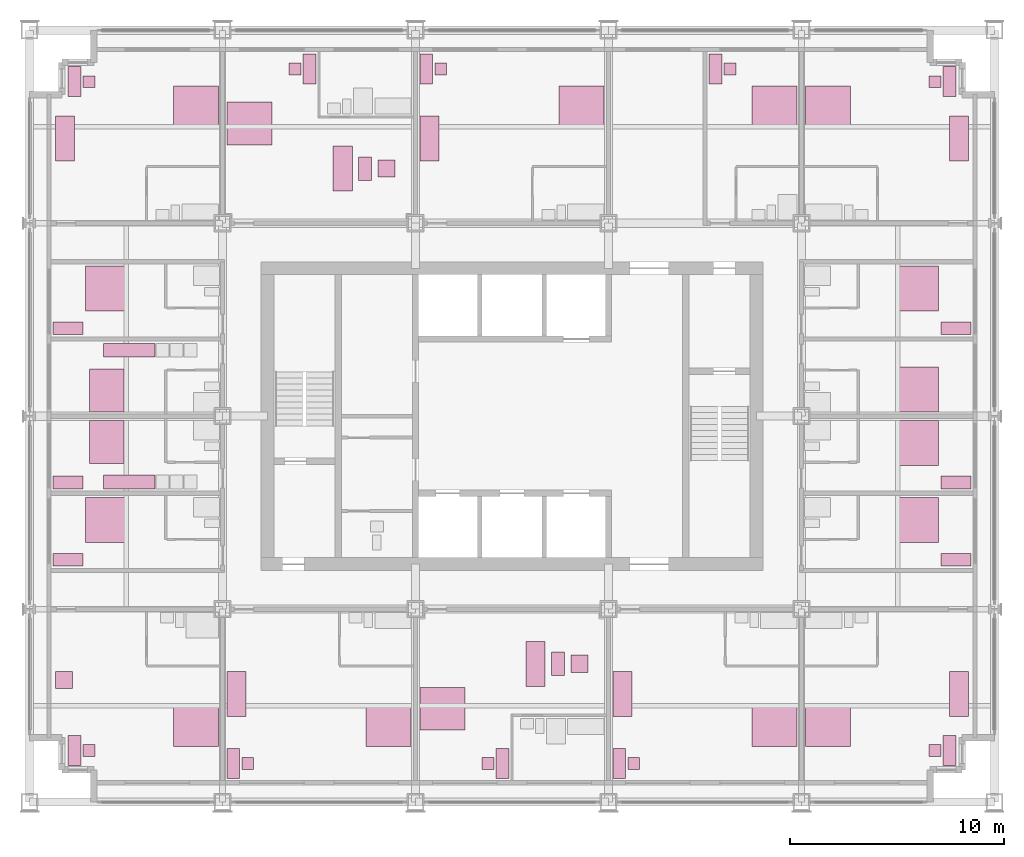
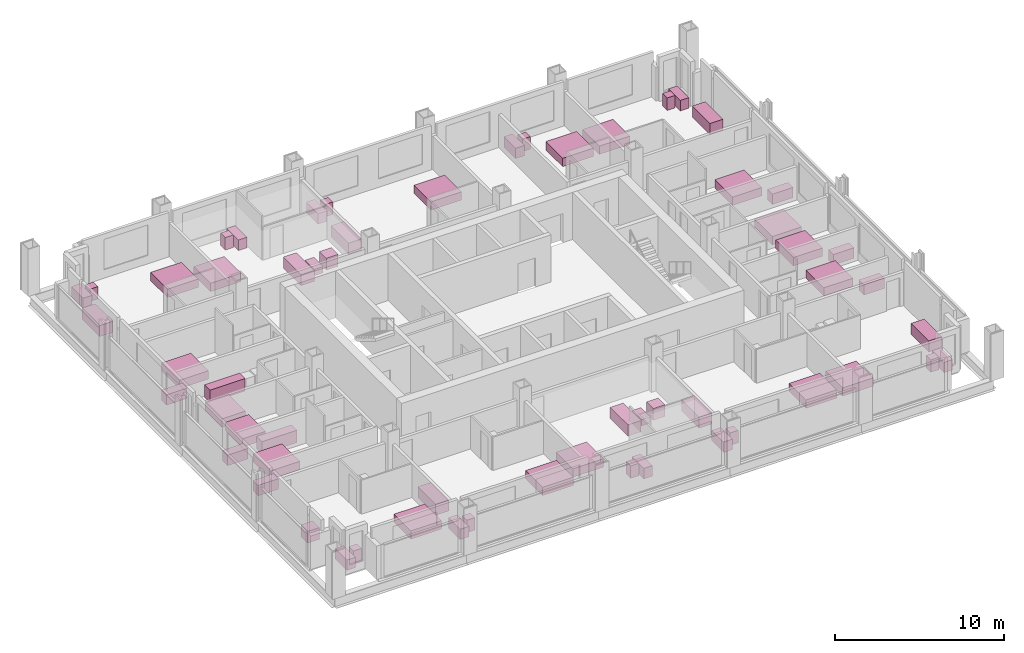
# One storey, part 16 of 16: 59 furniture elements.
"""IFC4 building model written with IfcOpenShell, lengths in metres."""

import ifcopenshell
import ifcopenshell.guid

model = None  # the IFC model being written
_history = None  # IfcOwnerHistory: only IFC2X3 demands one
_inside = {}  # id of a spatial element -> (the spatial element, [elements in it])
_under = {}  # id of a project, library or spatial element -> (it, [spatial elements below it])
_declared = {}  # id of a project -> (the project, [libraries it declares])
_typed = {}  # id of a type object -> (the type object, [elements of that type])
_made_of = {}  # id of a material, layer set ... -> (it, [elements and type objects made of it])


def new_model(schema):
    """Start an empty IFC model of exactly this schema.

    Asked for "IFC4X3", IfcOpenShell would pick the latest addendum, in which some entities
    have other attributes; the version numbers below select the first issue.
    IFC2X3 requires an IfcOwnerHistory on every rooted entity: one is made here for all.
    """
    global model, _history
    if schema == "IFC4X3":
        model = ifcopenshell.file(schema_version=(4, 3, 0, 0))
    else:
        model = ifcopenshell.file(schema=schema)
    _inside.clear()
    _under.clear()
    _declared.clear()
    _typed.clear()
    _made_of.clear()
    _history = None
    if model.schema == "IFC2X3":
        org = make("IfcOrganization", Name="unknown")
        user = make(
            "IfcPersonAndOrganization",
            ThePerson=make("IfcPerson", FamilyName="unknown"),
            TheOrganization=org,
        )
        app = make(
            "IfcApplication",
            ApplicationDeveloper=org,
            Version="unknown",
            ApplicationFullName="unknown",
            ApplicationIdentifier="unknown",
        )
        _history = make(
            "IfcOwnerHistory",
            OwningUser=user,
            OwningApplication=app,
            ChangeAction="ADDED",
            CreationDate=0,
        )
    return model


def make(cls, **values):
    """One entity of the class cls with the attributes given. An attribute that is None is left unset."""
    return model.create_entity(
        cls, **{name: value for name, value in values.items() if value is not None}
    )


def rooted(cls, **values):
    """An entity with a GlobalId (a new one), such as an element, a storey or a relation."""
    return make(cls, GlobalId=ifcopenshell.guid.new(), OwnerHistory=_history, **values)


def si_unit(unit_type, name, prefix=None):
    """IfcSIUnit, for example si_unit("LENGTHUNIT", "METRE", prefix="MILLI")."""
    return make("IfcSIUnit", UnitType=unit_type, Prefix=prefix, Name=name)


def assignment(units):
    """IfcUnitAssignment: the units of a project."""
    return None if units is None else make("IfcUnitAssignment", Units=units)


def point(xyz):
    """IfcCartesianPoint."""
    return None if xyz is None else make("IfcCartesianPoint", Coordinates=xyz)


def direction(xyz):
    """IfcDirection."""
    return None if xyz is None else make("IfcDirection", DirectionRatios=xyz)


def frame(location, z_axis=None, x_axis=None):
    """IfcAxis2Placement3D, a coordinate frame: its origin and axes. An axis left out is left unset."""
    return make(
        "IfcAxis2Placement3D",
        Location=point(location),
        Axis=direction(z_axis),
        RefDirection=direction(x_axis),
    )


def frame_2d(location, x_axis=None):
    """IfcAxis2Placement2D, a coordinate frame in the plane: its origin and x axis."""
    return make(
        "IfcAxis2Placement2D", Location=point(location), RefDirection=direction(x_axis)
    )


def origin():
    """The frame at (0, 0, 0) with its axes left unset."""
    return frame((0.0, 0.0, 0.0))


def origin_2d():
    """The frame at (0, 0) in the plane with its x axis left unset."""
    return frame_2d((0.0, 0.0))


def place(relative_to, where):
    """IfcLocalPlacement: puts the frame where relative to a parent placement (None: the world)."""
    return make(
        "IfcLocalPlacement", PlacementRelTo=relative_to, RelativePlacement=where
    )


def context(
    kind, dimensions, precision=None, world=None, true_north=None, identifier=None
):
    """IfcGeometricRepresentationContext, for example the 3D "Model" context."""
    return make(
        "IfcGeometricRepresentationContext",
        ContextIdentifier=identifier,
        ContextType=kind,
        CoordinateSpaceDimension=dimensions,
        Precision=precision,
        WorldCoordinateSystem=world,
        TrueNorth=true_north,
    )


def subcontext(parent, identifier, kind, view, scale=None):
    """IfcGeometricRepresentationSubContext, for example "Body" below "Model"."""
    return make(
        "IfcGeometricRepresentationSubContext",
        ContextIdentifier=identifier,
        ContextType=kind,
        ParentContext=parent,
        TargetScale=scale,
        TargetView=view,
    )


def project(units=None, contexts=None):
    """IfcProject with its units and contexts."""
    return rooted(
        "IfcProject",
        Name="project",
        RepresentationContexts=contexts,
        UnitsInContext=assignment(units),
    )


def spatial(cls, under=None, at=None, **own):
    """A site, building, storey or space (cls), placed at a placement, below another one or the project."""
    s = rooted(cls, ObjectPlacement=at, **own)
    if under is not None:
        _under.setdefault(under.id(), (under, []))[1].append(s)
    return s


def profile(cls, at=None, kind="AREA", **sizes):
    """A parametric profile (cls). Its sizes go by their IFC names, for example OverallWidth=200.0."""
    return make(cls, ProfileType=kind, Position=at, **sizes)


def rectangle(**sizes):
    """IfcRectangleProfileDef."""
    return profile("IfcRectangleProfileDef", **sizes)


def extrude(swept, where, along, depth):
    """IfcExtrudedAreaSolid: the profile swept, set in the frame where, extruded along a direction by depth."""
    return make(
        "IfcExtrudedAreaSolid",
        SweptArea=swept,
        Position=where,
        ExtrudedDirection=direction(along),
        Depth=depth,
    )


def shape(context_of_items, identifier, shape_type, items):
    """IfcShapeRepresentation: the items that make up one representation, for example the "Body"."""
    return make(
        "IfcShapeRepresentation",
        ContextOfItems=context_of_items,
        RepresentationIdentifier=identifier,
        RepresentationType=shape_type,
        Items=items,
    )


def made_of(thing, what):
    """Note that an element or type object is made of a material, layer set ...; save() writes the relation."""
    if what is not None:
        _made_of.setdefault(what.id(), (what, []))[1].append(thing)
    return thing


def element(
    cls,
    number,
    at=None,
    inside=None,
    cuts=None,
    type_object=None,
    material=None,
    context=None,
    identifier="Body",
    shape_type=None,
    held_by="IfcProductDefinitionShape",
    body=None,
    shapes=None,
    **own,
):
    """One element of the class cls, such as IfcWall. Its Tag is "e" and its number.

    at: its placement. inside: the storey or other place that contains it. cuts: it is an
    opening in that element (IfcRelVoidsElement). A single representation is given by context,
    identifier, shape_type and body (its items); several are given by shapes. held_by: the class
    of the entity that holds the representations. save() writes the other relations.
    """
    e = rooted(cls, Tag="e%d" % number, ObjectPlacement=at, **own)
    if body is not None:
        shapes = [shape(context, identifier, shape_type, body)]
    if shapes is not None:
        e.Representation = make(held_by, Representations=shapes)
    if inside is not None:
        _inside.setdefault(inside.id(), (inside, []))[1].append(e)
    if cuts is not None:
        rooted(
            "IfcRelVoidsElement", RelatingBuildingElement=cuts, RelatedOpeningElement=e
        )
    if type_object is not None:
        _typed.setdefault(type_object.id(), (type_object, []))[1].append(e)
    return made_of(e, material)


def aggregate(whole, parts):
    """IfcRelAggregates: a whole, such as a stair, and the parts it consists of."""
    return rooted("IfcRelAggregates", RelatingObject=whole, RelatedObjects=parts)


def save(model, path):
    """Write the relations noted so far, then the file.

    IfcRelAggregates (storeys below a building ...), IfcRelContainedInSpatialStructure (elements
    in a storey), IfcRelDefinesByType, IfcRelAssociatesMaterial and IfcRelDeclares: one each for
    every whole, place, type object, material and project.
    """
    for whole, parts in _under.values():
        aggregate(whole, parts)
    for where, things in _inside.values():
        rooted(
            "IfcRelContainedInSpatialStructure",
            RelatedElements=things,
            RelatingStructure=where,
        )
    for kind, things in _typed.values():
        rooted("IfcRelDefinesByType", RelatedObjects=things, RelatingType=kind)
    for what, things in _made_of.values():
        rooted("IfcRelAssociatesMaterial", RelatedObjects=things, RelatingMaterial=what)
    for by, libraries in _declared.values():
        rooted("IfcRelDeclares", RelatingContext=by, RelatedDefinitions=libraries)
    model.write(path)


model = new_model("IFC4")

# Units and contexts
model_context = context("Model", 3, precision=1e-05, world=origin(), true_north=direction((0.0, 1.0)))
body_context = subcontext(model_context, "Body", "Model", "MODEL_VIEW")
ifc_project = project(units=[si_unit("LENGTHUNIT", "METRE"), si_unit("AREAUNIT", "SQUARE_METRE"), si_unit("VOLUMEUNIT", "CUBIC_METRE"), si_unit("PLANEANGLEUNIT", "RADIAN"), si_unit("MASSUNIT", "GRAM", prefix="KILO")], contexts=[model_context])

# Site, building, storey
site_placement = place(None, origin())
site = spatial("IfcSite", under=ifc_project, at=site_placement, CompositionType="ELEMENT")
building_placement = place(site_placement, origin())
building = spatial("IfcBuilding", under=site, at=building_placement, Name="Loomwork Tower", CompositionType="ELEMENT")
storey_placement = place(building_placement, frame((0.0, 0.0, 111.199951171875)))
storey = spatial("IfcBuildingStorey", under=building, at=storey_placement, Name="L29", CompositionType="ELEMENT", Elevation=111.199951171875)

# Furniture
furniture_1_placement = place(storey_placement, frame((7.75, 3.60009765625, 0.0), z_axis=(0.0, 0.0, 1.0), x_axis=(1.0, 0.0, 0.0)))
element("IfcFurniture", 1, at=furniture_1_placement, inside=storey, Name="King bed L29", PredefinedType="BED", context=body_context, shape_type="SweptSolid", body=[
    extrude(rectangle(XDim=2.10009765625, YDim=2.0, at=origin_2d()), origin(), (0.0, 0.0, 1.0), 0.60009765625),
])
furniture_2_placement = place(storey_placement, frame((2.10009765625, 2.39990234375, 0.0), z_axis=(0.0, 0.0, 1.0), x_axis=(1.0, 0.0, 0.0)))
element("IfcFurniture", 2, at=furniture_2_placement, inside=storey, Name="Writing desk L29", PredefinedType="DESK", context=body_context, shape_type="SweptSolid", body=[
    extrude(rectangle(XDim=0.60009765625, YDim=1.39990234375, at=origin_2d()), origin(), (0.0, 0.0, 1.0), 0.75),
])
furniture_3_placement = place(storey_placement, frame((2.77490234375, 2.39990234375, 0.0), z_axis=(0.0, 0.0, 1.0), x_axis=(1.0, 0.0, 0.0)))
element("IfcFurniture", 3, at=furniture_3_placement, inside=storey, Name="Desk chair L29", PredefinedType="CHAIR", context=body_context, shape_type="SweptSolid", body=[
    extrude(rectangle(XDim=0.550048828125, YDim=0.550048828125, at=origin_2d()), origin(), (0.0, 0.0, 1.0), 0.89990234375),
])
furniture_4_placement = place(storey_placement, frame((1.60009765625, 5.699951171875, 0.0), z_axis=(0.0, 0.0, 1.0), x_axis=(1.0, 0.0, 0.0)))
element("IfcFurniture", 4, at=furniture_4_placement, inside=storey, Name="Lounge armchair L29", PredefinedType="CHAIR", context=body_context, shape_type="SweptSolid", body=[
    extrude(rectangle(XDim=0.800048828125, YDim=0.800048828125, at=origin_2d()), origin(), (0.0, 0.0, 1.0), 0.85009765625),
])
furniture_5_placement = place(storey_placement, frame((16.75, 3.60009765625, 0.0), z_axis=(0.0, 0.0, 1.0), x_axis=(1.0, 0.0, 0.0)))
element("IfcFurniture", 5, at=furniture_5_placement, inside=storey, Name="King bed L29", PredefinedType="BED", context=body_context, shape_type="SweptSolid", body=[
    extrude(rectangle(XDim=2.10009765625, YDim=2.0, at=origin_2d()), origin(), (0.0, 0.0, 1.0), 0.60009765625),
])
furniture_6_placement = place(storey_placement, frame((9.5, 1.800048828125, 0.0), z_axis=(0.0, 0.0, 1.0), x_axis=(1.0, 0.0, 0.0)))
element("IfcFurniture", 6, at=furniture_6_placement, inside=storey, Name="Writing desk L29", PredefinedType="DESK", context=body_context, shape_type="SweptSolid", body=[
    extrude(rectangle(XDim=0.60009765625, YDim=1.39990234375, at=origin_2d()), origin(), (0.0, 0.0, 1.0), 0.75),
])
furniture_7_placement = place(storey_placement, frame((10.175048828125, 1.800048828125, 0.0), z_axis=(0.0, 0.0, 1.0), x_axis=(1.0, 0.0, 0.0)))
element("IfcFurniture", 7, at=furniture_7_placement, inside=storey, Name="Desk chair L29", PredefinedType="CHAIR", context=body_context, shape_type="SweptSolid", body=[
    extrude(rectangle(XDim=0.550048828125, YDim=0.550048828125, at=origin_2d()), origin(), (0.0, 0.0, 1.0), 0.89990234375),
])
furniture_8_placement = place(storey_placement, frame((9.64990234375, 5.050048828125, 0.0), z_axis=(0.0, 0.0, 1.0), x_axis=(1.0, 0.0, 0.0)))
element("IfcFurniture", 8, at=furniture_8_placement, inside=storey, Name="Sofa L29", PredefinedType="SOFA", context=body_context, shape_type="SweptSolid", body=[
    extrude(rectangle(XDim=0.89990234375, YDim=2.10009765625, at=origin_2d()), origin(), (0.0, 0.0, 1.0), 0.800048828125),
])
furniture_9_placement = place(storey_placement, frame((19.25, 4.35009765625, 0.0), z_axis=(0.0, 0.0, 1.0), x_axis=(1.0, 0.0, 0.0)))
element("IfcFurniture", 9, at=furniture_9_placement, inside=storey, Name="King bed L29", PredefinedType="BED", context=body_context, shape_type="SweptSolid", body=[
    extrude(rectangle(XDim=2.10009765625, YDim=2.0, at=origin_2d()), origin(), (0.0, 0.0, 1.0), 0.60009765625),
])
furniture_10_placement = place(storey_placement, frame((22.050048828125, 1.800048828125, 0.0), z_axis=(0.0, 0.0, 1.0), x_axis=(1.0, 0.0, 0.0)))
element("IfcFurniture", 10, at=furniture_10_placement, inside=storey, Name="Writing desk L29", PredefinedType="DESK", context=body_context, shape_type="SweptSolid", body=[
    extrude(rectangle(XDim=0.60009765625, YDim=1.39990234375, at=origin_2d()), origin(), (0.0, 0.0, 1.0), 0.75),
])
furniture_11_placement = place(storey_placement, frame((21.375, 1.800048828125, 0.0), z_axis=(0.0, 0.0, 1.0), x_axis=(1.0, 0.0, 0.0)))
element("IfcFurniture", 11, at=furniture_11_placement, inside=storey, Name="Desk chair L29", PredefinedType="CHAIR", context=body_context, shape_type="SweptSolid", body=[
    extrude(rectangle(XDim=0.550048828125, YDim=0.550048828125, at=origin_2d()), origin(), (0.0, 0.0, 1.0), 0.89990234375),
])
furniture_12_placement = place(storey_placement, frame((23.60009765625, 6.449951171875, 0.0), z_axis=(0.0, 0.0, 1.0), x_axis=(1.0, 0.0, 0.0)))
element("IfcFurniture", 12, at=furniture_12_placement, inside=storey, Name="Sofa L29", PredefinedType="SOFA", context=body_context, shape_type="SweptSolid", body=[
    extrude(rectangle(XDim=0.89990234375, YDim=2.10009765625, at=origin_2d()), origin(), (0.0, 0.0, 1.0), 0.800048828125),
])
furniture_13_placement = place(storey_placement, frame((24.64990234375, 6.449951171875, 0.0), z_axis=(0.0, 0.0, 1.0), x_axis=(1.0, 0.0, 0.0)))
element("IfcFurniture", 13, at=furniture_13_placement, inside=storey, Name="Coffee table L29", PredefinedType="TABLE", context=body_context, shape_type="SweptSolid", body=[
    extrude(rectangle(XDim=0.60009765625, YDim=1.10009765625, at=origin_2d()), origin(), (0.0, 0.0, 1.0), 0.449951171875),
])
furniture_14_placement = place(storey_placement, frame((25.64990234375, 6.449951171875, 0.0), z_axis=(0.0, 0.0, 1.0), x_axis=(1.0, 0.0, 0.0)))
element("IfcFurniture", 14, at=furniture_14_placement, inside=storey, Name="Lounge armchair L29", PredefinedType="CHAIR", context=body_context, shape_type="SweptSolid", body=[
    extrude(rectangle(XDim=0.800048828125, YDim=0.800048828125, at=origin_2d()), origin(), (0.0, 0.0, 1.0), 0.85009765625),
])
furniture_15_placement = place(storey_placement, frame((34.75, 3.60009765625, 0.0), z_axis=(0.0, 0.0, 1.0), x_axis=(1.0, 0.0, 0.0)))
element("IfcFurniture", 15, at=furniture_15_placement, inside=storey, Name="King bed L29", PredefinedType="BED", context=body_context, shape_type="SweptSolid", body=[
    extrude(rectangle(XDim=2.10009765625, YDim=2.0, at=origin_2d()), origin(), (0.0, 0.0, 1.0), 0.60009765625),
])
furniture_16_placement = place(storey_placement, frame((27.5, 1.800048828125, 0.0), z_axis=(0.0, 0.0, 1.0), x_axis=(1.0, 0.0, 0.0)))
element("IfcFurniture", 16, at=furniture_16_placement, inside=storey, Name="Writing desk L29", PredefinedType="DESK", context=body_context, shape_type="SweptSolid", body=[
    extrude(rectangle(XDim=0.60009765625, YDim=1.39990234375, at=origin_2d()), origin(), (0.0, 0.0, 1.0), 0.75),
])
furniture_17_placement = place(storey_placement, frame((28.175048828125, 1.800048828125, 0.0), z_axis=(0.0, 0.0, 1.0), x_axis=(1.0, 0.0, 0.0)))
element("IfcFurniture", 17, at=furniture_17_placement, inside=storey, Name="Desk chair L29", PredefinedType="CHAIR", context=body_context, shape_type="SweptSolid", body=[
    extrude(rectangle(XDim=0.550048828125, YDim=0.550048828125, at=origin_2d()), origin(), (0.0, 0.0, 1.0), 0.89990234375),
])
furniture_18_placement = place(storey_placement, frame((27.64990234375, 5.050048828125, 0.0), z_axis=(0.0, 0.0, 1.0), x_axis=(1.0, 0.0, 0.0)))
element("IfcFurniture", 18, at=furniture_18_placement, inside=storey, Name="Sofa L29", PredefinedType="SOFA", context=body_context, shape_type="SweptSolid", body=[
    extrude(rectangle(XDim=0.89990234375, YDim=2.10009765625, at=origin_2d()), origin(), (0.0, 0.0, 1.0), 0.800048828125),
])
furniture_19_placement = place(storey_placement, frame((37.25, 3.60009765625, 0.0), z_axis=(0.0, 0.0, 1.0), x_axis=(1.0, 0.0, 0.0)))
element("IfcFurniture", 19, at=furniture_19_placement, inside=storey, Name="King bed L29", PredefinedType="BED", context=body_context, shape_type="SweptSolid", body=[
    extrude(rectangle(XDim=2.10009765625, YDim=2.0, at=origin_2d()), origin(), (0.0, 0.0, 1.0), 0.60009765625),
])
furniture_20_placement = place(storey_placement, frame((42.89990234375, 2.39990234375, 0.0), z_axis=(0.0, 0.0, 1.0), x_axis=(1.0, 0.0, 0.0)))
element("IfcFurniture", 20, at=furniture_20_placement, inside=storey, Name="Writing desk L29", PredefinedType="DESK", context=body_context, shape_type="SweptSolid", body=[
    extrude(rectangle(XDim=0.60009765625, YDim=1.39990234375, at=origin_2d()), origin(), (0.0, 0.0, 1.0), 0.75),
])
furniture_21_placement = place(storey_placement, frame((42.22509765625, 2.39990234375, 0.0), z_axis=(0.0, 0.0, 1.0), x_axis=(1.0, 0.0, 0.0)))
element("IfcFurniture", 21, at=furniture_21_placement, inside=storey, Name="Desk chair L29", PredefinedType="CHAIR", context=body_context, shape_type="SweptSolid", body=[
    extrude(rectangle(XDim=0.550048828125, YDim=0.550048828125, at=origin_2d()), origin(), (0.0, 0.0, 1.0), 0.89990234375),
])
furniture_22_placement = place(storey_placement, frame((43.35009765625, 5.050048828125, 0.0), z_axis=(0.0, 0.0, 1.0), x_axis=(1.0, 0.0, 0.0)))
element("IfcFurniture", 22, at=furniture_22_placement, inside=storey, Name="Sofa L29", PredefinedType="SOFA", context=body_context, shape_type="SweptSolid", body=[
    extrude(rectangle(XDim=0.89990234375, YDim=2.10009765625, at=origin_2d()), origin(), (0.0, 0.0, 1.0), 0.800048828125),
])
furniture_23_placement = place(storey_placement, frame((7.75, 32.39990234375, 0.0), z_axis=(0.0, 0.0, 1.0), x_axis=(1.0, 0.0, 0.0)))
element("IfcFurniture", 23, at=furniture_23_placement, inside=storey, Name="King bed L29", PredefinedType="BED", context=body_context, shape_type="SweptSolid", body=[
    extrude(rectangle(XDim=2.10009765625, YDim=2.0, at=origin_2d()), origin(), (0.0, 0.0, 1.0), 0.60009765625),
])
furniture_24_placement = place(storey_placement, frame((2.10009765625, 33.60009765625, 0.0), z_axis=(0.0, 0.0, 1.0), x_axis=(1.0, 0.0, 0.0)))
element("IfcFurniture", 24, at=furniture_24_placement, inside=storey, Name="Writing desk L29", PredefinedType="DESK", context=body_context, shape_type="SweptSolid", body=[
    extrude(rectangle(XDim=0.60009765625, YDim=1.39990234375, at=origin_2d()), origin(), (0.0, 0.0, 1.0), 0.75),
])
furniture_25_placement = place(storey_placement, frame((2.77490234375, 33.60009765625, 0.0), z_axis=(0.0, 0.0, 1.0), x_axis=(1.0, 0.0, 0.0)))
element("IfcFurniture", 25, at=furniture_25_placement, inside=storey, Name="Desk chair L29", PredefinedType="CHAIR", context=body_context, shape_type="SweptSolid", body=[
    extrude(rectangle(XDim=0.550048828125, YDim=0.550048828125, at=origin_2d()), origin(), (0.0, 0.0, 1.0), 0.89990234375),
])
furniture_26_placement = place(storey_placement, frame((1.64990234375, 30.949951171875, 0.0), z_axis=(0.0, 0.0, 1.0), x_axis=(1.0, 0.0, 0.0)))
element("IfcFurniture", 26, at=furniture_26_placement, inside=storey, Name="Sofa L29", PredefinedType="SOFA", context=body_context, shape_type="SweptSolid", body=[
    extrude(rectangle(XDim=0.89990234375, YDim=2.10009765625, at=origin_2d()), origin(), (0.0, 0.0, 1.0), 0.800048828125),
])
furniture_27_placement = place(storey_placement, frame((10.25, 31.64990234375, 0.0), z_axis=(0.0, 0.0, 1.0), x_axis=(1.0, 0.0, 0.0)))
element("IfcFurniture", 27, at=furniture_27_placement, inside=storey, Name="King bed L29", PredefinedType="BED", context=body_context, shape_type="SweptSolid", body=[
    extrude(rectangle(XDim=2.10009765625, YDim=2.0, at=origin_2d()), origin(), (0.0, 0.0, 1.0), 0.60009765625),
])
furniture_28_placement = place(storey_placement, frame((13.050048828125, 34.199951171875, 0.0), z_axis=(0.0, 0.0, 1.0), x_axis=(1.0, 0.0, 0.0)))
element("IfcFurniture", 28, at=furniture_28_placement, inside=storey, Name="Writing desk L29", PredefinedType="DESK", context=body_context, shape_type="SweptSolid", body=[
    extrude(rectangle(XDim=0.60009765625, YDim=1.39990234375, at=origin_2d()), origin(), (0.0, 0.0, 1.0), 0.75),
])
furniture_29_placement = place(storey_placement, frame((12.375, 34.199951171875, 0.0), z_axis=(0.0, 0.0, 1.0), x_axis=(1.0, 0.0, 0.0)))
element("IfcFurniture", 29, at=furniture_29_placement, inside=storey, Name="Desk chair L29", PredefinedType="CHAIR", context=body_context, shape_type="SweptSolid", body=[
    extrude(rectangle(XDim=0.550048828125, YDim=0.550048828125, at=origin_2d()), origin(), (0.0, 0.0, 1.0), 0.89990234375),
])
furniture_30_placement = place(storey_placement, frame((14.60009765625, 29.550048828125, 0.0), z_axis=(0.0, 0.0, 1.0), x_axis=(1.0, 0.0, 0.0)))
element("IfcFurniture", 30, at=furniture_30_placement, inside=storey, Name="Sofa L29", PredefinedType="SOFA", context=body_context, shape_type="SweptSolid", body=[
    extrude(rectangle(XDim=0.89990234375, YDim=2.10009765625, at=origin_2d()), origin(), (0.0, 0.0, 1.0), 0.800048828125),
])
furniture_31_placement = place(storey_placement, frame((15.64990234375, 29.550048828125, 0.0), z_axis=(0.0, 0.0, 1.0), x_axis=(1.0, 0.0, 0.0)))
element("IfcFurniture", 31, at=furniture_31_placement, inside=storey, Name="Coffee table L29", PredefinedType="TABLE", context=body_context, shape_type="SweptSolid", body=[
    extrude(rectangle(XDim=0.60009765625, YDim=1.10009765625, at=origin_2d()), origin(), (0.0, 0.0, 1.0), 0.449951171875),
])
furniture_32_placement = place(storey_placement, frame((16.64990234375, 29.550048828125, 0.0), z_axis=(0.0, 0.0, 1.0), x_axis=(1.0, 0.0, 0.0)))
element("IfcFurniture", 32, at=furniture_32_placement, inside=storey, Name="Lounge armchair L29", PredefinedType="CHAIR", context=body_context, shape_type="SweptSolid", body=[
    extrude(rectangle(XDim=0.800048828125, YDim=0.800048828125, at=origin_2d()), origin(), (0.0, 0.0, 1.0), 0.85009765625),
])
furniture_33_placement = place(storey_placement, frame((25.75, 32.39990234375, 0.0), z_axis=(0.0, 0.0, 1.0), x_axis=(1.0, 0.0, 0.0)))
element("IfcFurniture", 33, at=furniture_33_placement, inside=storey, Name="King bed L29", PredefinedType="BED", context=body_context, shape_type="SweptSolid", body=[
    extrude(rectangle(XDim=2.10009765625, YDim=2.0, at=origin_2d()), origin(), (0.0, 0.0, 1.0), 0.60009765625),
])
furniture_34_placement = place(storey_placement, frame((18.5, 34.199951171875, 0.0), z_axis=(0.0, 0.0, 1.0), x_axis=(1.0, 0.0, 0.0)))
element("IfcFurniture", 34, at=furniture_34_placement, inside=storey, Name="Writing desk L29", PredefinedType="DESK", context=body_context, shape_type="SweptSolid", body=[
    extrude(rectangle(XDim=0.60009765625, YDim=1.39990234375, at=origin_2d()), origin(), (0.0, 0.0, 1.0), 0.75),
])
furniture_35_placement = place(storey_placement, frame((19.175048828125, 34.199951171875, 0.0), z_axis=(0.0, 0.0, 1.0), x_axis=(1.0, 0.0, 0.0)))
element("IfcFurniture", 35, at=furniture_35_placement, inside=storey, Name="Desk chair L29", PredefinedType="CHAIR", context=body_context, shape_type="SweptSolid", body=[
    extrude(rectangle(XDim=0.550048828125, YDim=0.550048828125, at=origin_2d()), origin(), (0.0, 0.0, 1.0), 0.89990234375),
])
furniture_36_placement = place(storey_placement, frame((18.64990234375, 30.949951171875, 0.0), z_axis=(0.0, 0.0, 1.0), x_axis=(1.0, 0.0, 0.0)))
element("IfcFurniture", 36, at=furniture_36_placement, inside=storey, Name="Sofa L29", PredefinedType="SOFA", context=body_context, shape_type="SweptSolid", body=[
    extrude(rectangle(XDim=0.89990234375, YDim=2.10009765625, at=origin_2d()), origin(), (0.0, 0.0, 1.0), 0.800048828125),
])
furniture_37_placement = place(storey_placement, frame((34.75, 32.39990234375, 0.0), z_axis=(0.0, 0.0, 1.0), x_axis=(1.0, 0.0, 0.0)))
element("IfcFurniture", 37, at=furniture_37_placement, inside=storey, Name="King bed L29", PredefinedType="BED", context=body_context, shape_type="SweptSolid", body=[
    extrude(rectangle(XDim=2.10009765625, YDim=2.0, at=origin_2d()), origin(), (0.0, 0.0, 1.0), 0.60009765625),
])
furniture_38_placement = place(storey_placement, frame((32.0, 34.199951171875, 0.0), z_axis=(0.0, 0.0, 1.0), x_axis=(1.0, 0.0, 0.0)))
element("IfcFurniture", 38, at=furniture_38_placement, inside=storey, Name="Writing desk L29", PredefinedType="DESK", context=body_context, shape_type="SweptSolid", body=[
    extrude(rectangle(XDim=0.60009765625, YDim=1.39990234375, at=origin_2d()), origin(), (0.0, 0.0, 1.0), 0.75),
])
furniture_39_placement = place(storey_placement, frame((32.675048828125, 34.199951171875, 0.0), z_axis=(0.0, 0.0, 1.0), x_axis=(1.0, 0.0, 0.0)))
element("IfcFurniture", 39, at=furniture_39_placement, inside=storey, Name="Desk chair L29", PredefinedType="CHAIR", context=body_context, shape_type="SweptSolid", body=[
    extrude(rectangle(XDim=0.550048828125, YDim=0.550048828125, at=origin_2d()), origin(), (0.0, 0.0, 1.0), 0.89990234375),
])
furniture_40_placement = place(storey_placement, frame((37.25, 32.39990234375, 0.0), z_axis=(0.0, 0.0, 1.0), x_axis=(1.0, 0.0, 0.0)))
element("IfcFurniture", 40, at=furniture_40_placement, inside=storey, Name="King bed L29", PredefinedType="BED", context=body_context, shape_type="SweptSolid", body=[
    extrude(rectangle(XDim=2.10009765625, YDim=2.0, at=origin_2d()), origin(), (0.0, 0.0, 1.0), 0.60009765625),
])
furniture_41_placement = place(storey_placement, frame((42.89990234375, 33.60009765625, 0.0), z_axis=(0.0, 0.0, 1.0), x_axis=(1.0, 0.0, 0.0)))
element("IfcFurniture", 41, at=furniture_41_placement, inside=storey, Name="Writing desk L29", PredefinedType="DESK", context=body_context, shape_type="SweptSolid", body=[
    extrude(rectangle(XDim=0.60009765625, YDim=1.39990234375, at=origin_2d()), origin(), (0.0, 0.0, 1.0), 0.75),
])
furniture_42_placement = place(storey_placement, frame((42.22509765625, 33.60009765625, 0.0), z_axis=(0.0, 0.0, 1.0), x_axis=(1.0, 0.0, 0.0)))
element("IfcFurniture", 42, at=furniture_42_placement, inside=storey, Name="Desk chair L29", PredefinedType="CHAIR", context=body_context, shape_type="SweptSolid", body=[
    extrude(rectangle(XDim=0.550048828125, YDim=0.550048828125, at=origin_2d()), origin(), (0.0, 0.0, 1.0), 0.89990234375),
])
furniture_43_placement = place(storey_placement, frame((43.35009765625, 30.949951171875, 0.0), z_axis=(0.0, 0.0, 1.0), x_axis=(1.0, 0.0, 0.0)))
element("IfcFurniture", 43, at=furniture_43_placement, inside=storey, Name="Sofa L29", PredefinedType="SOFA", context=body_context, shape_type="SweptSolid", body=[
    extrude(rectangle(XDim=0.89990234375, YDim=2.10009765625, at=origin_2d()), origin(), (0.0, 0.0, 1.0), 0.800048828125),
])
furniture_44_placement = place(storey_placement, frame((3.60009765625, 13.14990234375, 0.0), z_axis=(0.0, 0.0, 1.0), x_axis=(1.0, 0.0, 0.0)))
element("IfcFurniture", 44, at=furniture_44_placement, inside=storey, Name="King bed L29", PredefinedType="BED", context=body_context, shape_type="SweptSolid", body=[
    extrude(rectangle(XDim=2.0, YDim=2.10009765625, at=origin_2d()), origin(), (0.0, 0.0, 1.0), 0.60009765625),
])
furniture_45_placement = place(storey_placement, frame((1.800048828125, 11.300048828125, 0.0), z_axis=(0.0, 0.0, 1.0), x_axis=(1.0, 0.0, 0.0)))
element("IfcFurniture", 45, at=furniture_45_placement, inside=storey, Name="Writing desk L29", PredefinedType="DESK", context=body_context, shape_type="SweptSolid", body=[
    extrude(rectangle(XDim=1.39990234375, YDim=0.60009765625, at=origin_2d()), origin(), (0.0, 0.0, 1.0), 0.75),
])
furniture_46_placement = place(storey_placement, frame((3.60009765625, 16.800048828125, 0.0), z_axis=(0.0, 0.0, 1.0), x_axis=(1.0, 0.0, 0.0)))
element("IfcFurniture", 46, at=furniture_46_placement, inside=storey, Name="Queen bed L29", PredefinedType="BED", context=body_context, shape_type="SweptSolid", body=[
    extrude(rectangle(XDim=1.60009765625, YDim=2.0, at=origin_2d()), origin(), (0.0, 0.0, 1.0), 0.60009765625),
])
furniture_47_placement = place(storey_placement, frame((1.800048828125, 14.89990234375, 0.0), z_axis=(0.0, 0.0, 1.0), x_axis=(1.0, 0.0, 0.0)))
element("IfcFurniture", 47, at=furniture_47_placement, inside=storey, Name="Writing desk L29", PredefinedType="DESK", context=body_context, shape_type="SweptSolid", body=[
    extrude(rectangle(XDim=1.39990234375, YDim=0.60009765625, at=origin_2d()), origin(), (0.0, 0.0, 1.0), 0.75),
])
furniture_48_placement = place(storey_placement, frame((4.64990234375, 14.925048828125, 0.0), z_axis=(0.0, 0.0, 1.0), x_axis=(1.0, 0.0, 0.0)))
element("IfcFurniture", 48, at=furniture_48_placement, inside=storey, Name="Kitchenette counter L29", ObjectType="KITCHENETTE", PredefinedType="USERDEFINED", context=body_context, shape_type="SweptSolid", body=[
    extrude(rectangle(XDim=2.39990234375, YDim=0.64990234375, at=origin_2d()), origin(), (0.0, 0.0, 1.0), 0.89990234375),
])
furniture_49_placement = place(storey_placement, frame((3.60009765625, 19.199951171875, 0.0), z_axis=(0.0, 0.0, 1.0), x_axis=(1.0, 0.0, 0.0)))
element("IfcFurniture", 49, at=furniture_49_placement, inside=storey, Name="Queen bed L29", PredefinedType="BED", context=body_context, shape_type="SweptSolid", body=[
    extrude(rectangle(XDim=1.60009765625, YDim=2.0, at=origin_2d()), origin(), (0.0, 0.0, 1.0), 0.60009765625),
])
furniture_50_placement = place(storey_placement, frame((4.64990234375, 21.074951171875, 0.0), z_axis=(0.0, 0.0, 1.0), x_axis=(1.0, 0.0, 0.0)))
element("IfcFurniture", 50, at=furniture_50_placement, inside=storey, Name="Kitchenette counter L29", ObjectType="KITCHENETTE", PredefinedType="USERDEFINED", context=body_context, shape_type="SweptSolid", body=[
    extrude(rectangle(XDim=2.39990234375, YDim=0.64990234375, at=origin_2d()), origin(), (0.0, 0.0, 1.0), 0.89990234375),
])
furniture_51_placement = place(storey_placement, frame((3.60009765625, 23.949951171875, 0.0), z_axis=(0.0, 0.0, 1.0), x_axis=(1.0, 0.0, 0.0)))
element("IfcFurniture", 51, at=furniture_51_placement, inside=storey, Name="King bed L29", PredefinedType="BED", context=body_context, shape_type="SweptSolid", body=[
    extrude(rectangle(XDim=2.0, YDim=2.10009765625, at=origin_2d()), origin(), (0.0, 0.0, 1.0), 0.60009765625),
])
furniture_52_placement = place(storey_placement, frame((1.800048828125, 22.10009765625, 0.0), z_axis=(0.0, 0.0, 1.0), x_axis=(1.0, 0.0, 0.0)))
element("IfcFurniture", 52, at=furniture_52_placement, inside=storey, Name="Writing desk L29", PredefinedType="DESK", context=body_context, shape_type="SweptSolid", body=[
    extrude(rectangle(XDim=1.39990234375, YDim=0.60009765625, at=origin_2d()), origin(), (0.0, 0.0, 1.0), 0.75),
])
furniture_53_placement = place(storey_placement, frame((41.39990234375, 13.14990234375, 0.0), z_axis=(0.0, 0.0, 1.0), x_axis=(1.0, 0.0, 0.0)))
element("IfcFurniture", 53, at=furniture_53_placement, inside=storey, Name="King bed L29", PredefinedType="BED", context=body_context, shape_type="SweptSolid", body=[
    extrude(rectangle(XDim=2.0, YDim=2.10009765625, at=origin_2d()), origin(), (0.0, 0.0, 1.0), 0.60009765625),
])
furniture_54_placement = place(storey_placement, frame((43.199951171875, 11.300048828125, 0.0), z_axis=(0.0, 0.0, 1.0), x_axis=(1.0, 0.0, 0.0)))
element("IfcFurniture", 54, at=furniture_54_placement, inside=storey, Name="Writing desk L29", PredefinedType="DESK", context=body_context, shape_type="SweptSolid", body=[
    extrude(rectangle(XDim=1.39990234375, YDim=0.60009765625, at=origin_2d()), origin(), (0.0, 0.0, 1.0), 0.75),
])
furniture_55_placement = place(storey_placement, frame((41.39990234375, 16.75, 0.0), z_axis=(0.0, 0.0, 1.0), x_axis=(1.0, 0.0, 0.0)))
element("IfcFurniture", 55, at=furniture_55_placement, inside=storey, Name="King bed L29", PredefinedType="BED", context=body_context, shape_type="SweptSolid", body=[
    extrude(rectangle(XDim=2.0, YDim=2.10009765625, at=origin_2d()), origin(), (0.0, 0.0, 1.0), 0.60009765625),
])
furniture_56_placement = place(storey_placement, frame((43.199951171875, 14.89990234375, 0.0), z_axis=(0.0, 0.0, 1.0), x_axis=(1.0, 0.0, 0.0)))
element("IfcFurniture", 56, at=furniture_56_placement, inside=storey, Name="Writing desk L29", PredefinedType="DESK", context=body_context, shape_type="SweptSolid", body=[
    extrude(rectangle(XDim=1.39990234375, YDim=0.60009765625, at=origin_2d()), origin(), (0.0, 0.0, 1.0), 0.75),
])
for number, where, z_axis, x_axis, name in (
    (57, (41.39990234375, 19.25, 0.0), (0.0, 0.0, 1.0), (1.0, 0.0, 0.0), "King bed L29"),
    (58, (41.39990234375, 23.949951171875, 0.0), (0.0, 0.0, 1.0), (1.0, 0.0, 0.0), "King bed L29"),
):
    element("IfcFurniture", number, at=place(storey_placement, frame(where, z_axis=z_axis, x_axis=x_axis)), inside=storey, Name=name, PredefinedType="BED", context=body_context, shape_type="SweptSolid", body=[
        extrude(rectangle(XDim=2.0, YDim=2.10009765625, at=origin_2d()), origin(), (0.0, 0.0, 1.0), 0.60009765625),
    ])
furniture_57_placement = place(storey_placement, frame((43.199951171875, 22.10009765625, 0.0), z_axis=(0.0, 0.0, 1.0), x_axis=(1.0, 0.0, 0.0)))
element("IfcFurniture", 59, at=furniture_57_placement, inside=storey, Name="Writing desk L29", PredefinedType="DESK", context=body_context, shape_type="SweptSolid", body=[
    extrude(rectangle(XDim=1.39990234375, YDim=0.60009765625, at=origin_2d()), origin(), (0.0, 0.0, 1.0), 0.75),
])

save(model, "model.ifc")
